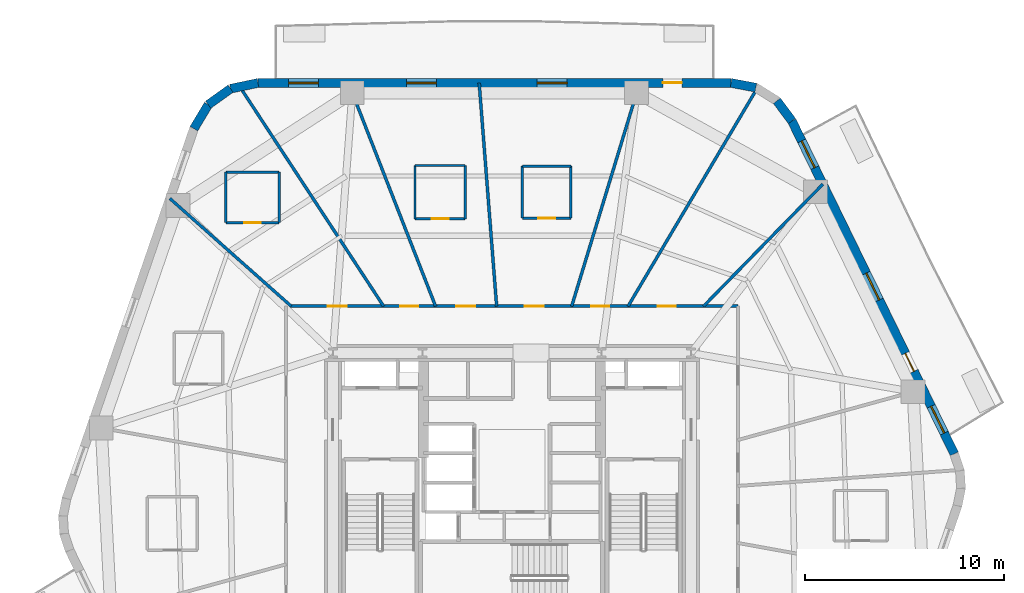
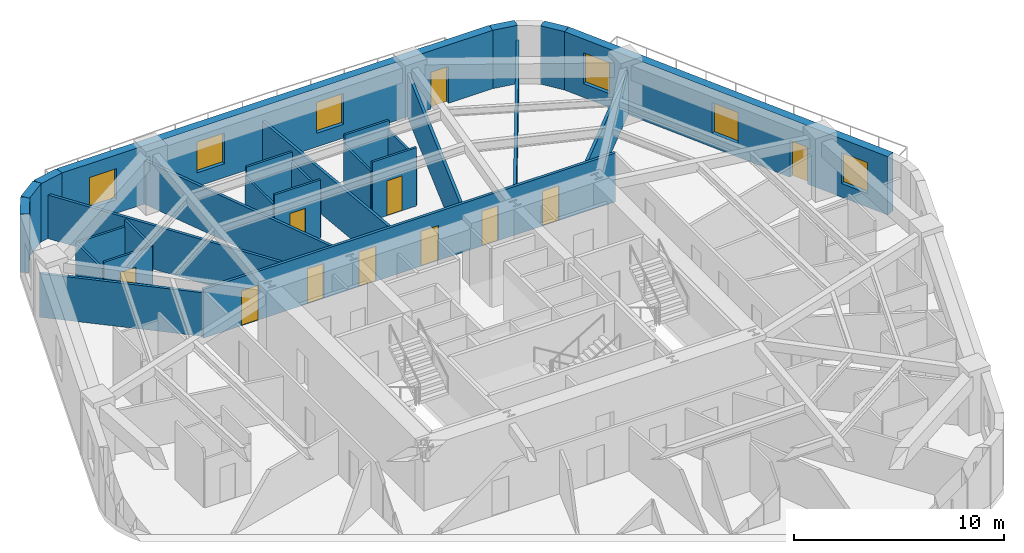
# One storey, part 6 of 10: 27 walls, 11 doors, 6 windows, 17 openings.
"""IFC4 building model written with IfcOpenShell, lengths in metres."""

from ifc_helpers import new_model, si_unit, direction, frame, frame_2d, origin, place, context, subcontext, project, spatial, rectangle, extrude, material, layer, layer_set, type_object, element, fill, save


model = new_model("IFC4")

# Units and contexts
model_context = context("Model", 3, precision=1e-05, world=origin(), true_north=direction((0.0, 1.0)))
body_context = subcontext(model_context, "Body", "Model", "MODEL_VIEW")
ifc_project = project(units=[si_unit("LENGTHUNIT", "METRE"), si_unit("AREAUNIT", "SQUARE_METRE"), si_unit("VOLUMEUNIT", "CUBIC_METRE"), si_unit("PLANEANGLEUNIT", "RADIAN"), si_unit("MASSUNIT", "GRAM", prefix="KILO")], contexts=[model_context])

# Site, building, storey
site_placement = place(None, origin())
site = spatial("IfcSite", under=ifc_project, at=site_placement, CompositionType="ELEMENT")
building_placement = place(site_placement, origin())
building = spatial("IfcBuilding", under=site, at=building_placement, Name="Kilnhurst Terrace Hotel", CompositionType="ELEMENT")
storey_placement = place(building_placement, frame((0.0, 0.0, 95.10009765625)))
storey = spatial("IfcBuildingStorey", under=building, at=storey_placement, Name="L22", CompositionType="ELEMENT", Elevation=95.10009765625)

# Walls
ifc_material_1 = material(Name="Precast concrete C40/50", Category="concrete")
ifc_layer_1 = layer(ifc_material_1, 0.449951171875, Name="Precast concrete C40/50")
ifc_layer_set_1 = layer_set([ifc_layer_1], Name="Precast concrete C40/50")
wall_type_1 = type_object("IfcWallType", Name="WL-BRK-450", PredefinedType="SOLIDWALL", material=ifc_layer_set_1)
for number, where, z_axis, x_axis, name in (
    (1, (14.07568359375, 19.16064453125, 0.0), (0.0, 0.0, 1.0), (-0.597226657159, 0.802072515412, 0.0), "L22 Rounded Corner Brick Wall C4.1"),
    (2, (12.25927734375, 20.840087890625, 0.0), (0.0, 0.0, 1.0), (-0.982730354425, 0.185043374624, 0.0), "L22 Rounded Corner Brick Wall C4.3"),
):
    element("IfcWall", number, at=place(storey_placement, frame(where, z_axis=z_axis, x_axis=x_axis)), inside=storey, type_object=wall_type_1, Name=name, PredefinedType="SOLIDWALL", context=body_context, shape_type="SweptSolid", body=[
        extrude(rectangle(XDim=1.269287109375, YDim=0.449951171875, at=frame_2d((0.634765625, 0.0))), origin(), (0.0, 0.0, 1.0), 3.39990234375),
    ])
wall_1_placement = place(storey_placement, frame((-12.7705078125, 21.074951171875, 0.0), z_axis=(0.0, 0.0, 1.0), x_axis=(-0.97874281988, -0.205091424819, 0.0)))
element("IfcWall", 3, at=wall_1_placement, inside=storey, type_object=wall_type_1, Name="L22 Rounded Corner Brick Wall C5.1", PredefinedType="SOLIDWALL", context=body_context, shape_type="SweptSolid", body=[
    extrude(rectangle(XDim=1.40576171875, YDim=0.449951171875, at=frame_2d((0.702880859375, 0.0))), origin(), (0.0, 0.0, 1.0), 3.39990234375),
])
wall_2_placement = place(storey_placement, frame((-14.146484375, 20.78662109375, 0.0), z_axis=(0.0, 0.0, 1.0), x_axis=(-0.814162929117, -0.580636482536, 0.0)))
element("IfcWall", 4, at=wall_2_placement, inside=storey, type_object=wall_type_1, Name="L22 Rounded Corner Brick Wall C5.2", PredefinedType="SOLIDWALL", context=body_context, shape_type="SweptSolid", body=[
    extrude(rectangle(XDim=1.382080078125, YDim=0.449951171875, at=frame_2d((0.69091796875, 0.0))), origin(), (0.0, 0.0, 1.0), 3.39990234375),
])
wall_3_placement = place(storey_placement, frame((-15.271728515625, 19.984130859375, 0.0), z_axis=(0.0, 0.0, 1.0), x_axis=(-0.512579347361, -0.858639862025, 0.0)))
element("IfcWall", 5, at=wall_3_placement, inside=storey, type_object=wall_type_1, Name="L22 Rounded Corner Brick Wall C5.3", PredefinedType="SOLIDWALL", context=body_context, shape_type="SweptSolid", body=[
    extrude(rectangle(XDim=1.406005859375, YDim=0.449951171875, at=frame_2d((0.703125, 0.0))), origin(), (0.0, 0.0, 1.0), 3.39990234375),
])

# Wall, openings, door, windows
wall_4_placement = place(storey_placement, frame((22.237548828125, 2.426513671875, 0.0), z_axis=(0.0, 0.0, 1.0), x_axis=(-0.438374803278, 0.898792262901, 0.0)))
wall_4 = element("IfcWall", 6, at=wall_4_placement, inside=storey, type_object=wall_type_1, Name="L22 Exterior Brick Facade Wall F3", PredefinedType="SOLIDWALL", context=body_context, shape_type="SweptSolid", body=[
    extrude(rectangle(XDim=18.618408203125, YDim=0.449951171875, at=frame_2d((9.30908203125, 0.0))), origin(), (0.0, 0.0, 1.0), 3.39990234375),
])
opening_1_placement = place(wall_4_placement, frame((4.6201171875, 0.0, 0.0)))
opening_1 = element("IfcOpeningElement", 7, at=opening_1_placement, cuts=wall_4, Name="Opening BD-1000", PredefinedType="OPENING", context=body_context, shape_type="SweptSolid", body=[
    extrude(rectangle(XDim=1.0, YDim=2.14990234375, at=frame_2d((0.5, 1.074951171875))), frame((0.0, 0.23486328125, 0.0), z_axis=(0.0, -1.0, 0.0), x_axis=(1.0, 0.0, 0.0)), (0.0, 0.0, 1.0), 0.469970703125),
])
opening_2_placement = place(wall_4_placement, frame((1.1630859375, 0.0, 0.800048828125)))
opening_2 = element("IfcOpeningElement", 8, at=opening_2_placement, cuts=wall_4, Name="Opening W-02", PredefinedType="OPENING", context=body_context, shape_type="SweptSolid", body=[
    extrude(rectangle(XDim=1.5, YDim=1.800048828125, at=frame_2d((0.75, 0.89990234375))), frame((0.0, 0.23486328125, 0.0), z_axis=(0.0, -1.0, 0.0), x_axis=(1.0, 0.0, 0.0)), (0.0, 0.0, 1.0), 0.469970703125),
])
opening_3_placement = place(wall_4_placement, frame((8.610107421875, 0.0, 0.800048828125)))
opening_3 = element("IfcOpeningElement", 9, at=opening_3_placement, cuts=wall_4, Name="Opening W-02", PredefinedType="OPENING", context=body_context, shape_type="SweptSolid", body=[
    extrude(rectangle(XDim=1.5, YDim=1.800048828125, at=frame_2d((0.75, 0.89990234375))), frame((0.0, 0.23486328125, 0.0), z_axis=(0.0, -1.0, 0.0), x_axis=(1.0, 0.0, 0.0)), (0.0, 0.0, 1.0), 0.469970703125),
])
opening_4_placement = place(wall_4_placement, frame((16.006103515625, 0.0, 0.800048828125)))
opening_4 = element("IfcOpeningElement", 10, at=opening_4_placement, cuts=wall_4, Name="Opening W-02", PredefinedType="OPENING", context=body_context, shape_type="SweptSolid", body=[
    extrude(rectangle(XDim=1.5, YDim=1.800048828125, at=frame_2d((0.75, 0.89990234375))), frame((0.0, 0.23486328125, 0.0), z_axis=(0.0, -1.0, 0.0), x_axis=(1.0, 0.0, 0.0)), (0.0, 0.0, 1.0), 0.469970703125),
])
ifc_material_2 = material(Name="Thermally Broken Bronze Aluminium Alloy 6063-T6 and Laminated Glass", Category="aluminium")
door_type_1 = type_object("IfcDoorType", Name="DR-EXT-BAL-1000", OperationType="NOTDEFINED", PredefinedType="DOOR", material=ifc_material_2)
door_1_placement = place(opening_1_placement, origin())
door_1 = element("IfcDoor", 11, at=door_1_placement, inside=storey, type_object=door_type_1, Name="L22 Planted Balcony Door BAL-L1A", OperationType="SINGLE_SWING_LEFT", OverallHeight=2.14990234375, OverallWidth=1.0, PredefinedType="DOOR", context=body_context, shape_type="SweptSolid", body=[
    extrude(rectangle(XDim=1.0, YDim=2.14990234375, at=frame_2d((0.5, 1.074951171875))), frame((0.0, 0.02490234375, 0.0), z_axis=(0.0, -1.0, 0.0), x_axis=(1.0, 0.0, 0.0)), (0.0, 0.0, 1.0), 0.050048828125),
])
fill(opening_1, door_1)
ifc_material_3 = material(Name="Thermally Broken Bronze Aluminium Alloy 6063-T6 and Low-E Glass", Category="aluminium")
window_type = type_object("IfcWindowType", Name="WIN-1500X1800", PartitioningType="SINGLE_PANEL", PredefinedType="WINDOW", material=ifc_material_3)
window_1_placement = place(opening_2_placement, origin())
window_1 = element("IfcWindow", 12, at=window_1_placement, inside=storey, type_object=window_type, Name="L22 Deep-Set Masonry Window F3.1", OverallHeight=1.800048828125, OverallWidth=1.5, PartitioningType="SINGLE_PANEL", PredefinedType="WINDOW", context=body_context, shape_type="SweptSolid", body=[
    extrude(rectangle(XDim=1.5, YDim=1.800048828125, at=frame_2d((0.75, 0.89990234375))), frame((0.0, 0.030029296875, 0.0), z_axis=(0.0, -1.0, 0.0), x_axis=(1.0, 0.0, 0.0)), (0.0, 0.0, 1.0), 0.06005859375),
])
fill(opening_2, window_1)
window_2_placement = place(opening_3_placement, origin())
window_2 = element("IfcWindow", 13, at=window_2_placement, inside=storey, type_object=window_type, Name="L22 Deep-Set Masonry Window F3.2", OverallHeight=1.800048828125, OverallWidth=1.5, PartitioningType="SINGLE_PANEL", PredefinedType="WINDOW", context=body_context, shape_type="SweptSolid", body=[
    extrude(rectangle(XDim=1.5, YDim=1.800048828125, at=frame_2d((0.75, 0.89990234375))), frame((0.0, 0.030029296875, 0.0), z_axis=(0.0, -1.0, 0.0), x_axis=(1.0, 0.0, 0.0)), (0.0, 0.0, 1.0), 0.06005859375),
])
fill(opening_3, window_2)
window_3_placement = place(opening_4_placement, origin())
window_3 = element("IfcWindow", 14, at=window_3_placement, inside=storey, type_object=window_type, Name="L22 Deep-Set Masonry Window F3.3", OverallHeight=1.800048828125, OverallWidth=1.5, PartitioningType="SINGLE_PANEL", PredefinedType="WINDOW", context=body_context, shape_type="SweptSolid", body=[
    extrude(rectangle(XDim=1.5, YDim=1.800048828125, at=frame_2d((0.75, 0.89990234375))), frame((0.0, 0.030029296875, 0.0), z_axis=(0.0, -1.0, 0.0), x_axis=(1.0, 0.0, 0.0)), (0.0, 0.0, 1.0), 0.06005859375),
])
fill(opening_4, window_3)

wall_5_placement = place(storey_placement, frame((11.011962890625, 21.074951171875, 0.0), z_axis=(0.0, 0.0, 1.0), x_axis=(-1.0, 0.0, 0.0)))
wall_5 = element("IfcWall", 15, at=wall_5_placement, inside=storey, type_object=wall_type_1, Name="L22 Exterior Brick Facade Wall F4", PredefinedType="SOLIDWALL", context=body_context, shape_type="SweptSolid", body=[
    extrude(rectangle(XDim=23.782470703125, YDim=0.449951171875, at=frame_2d((11.89111328125, 0.0))), origin(), (0.0, 0.0, 1.0), 3.39990234375),
])
opening_5_placement = place(wall_5_placement, frame((2.472900390625, 0.0, 0.0)))
opening_5 = element("IfcOpeningElement", 16, at=opening_5_placement, cuts=wall_5, Name="Opening BD-950", PredefinedType="OPENING", context=body_context, shape_type="SweptSolid", body=[
    extrude(rectangle(XDim=0.949951171875, YDim=2.14990234375, at=frame_2d((0.47509765625, 1.074951171875))), frame((0.0, 0.23486328125, 0.0), z_axis=(0.0, -1.0, 0.0), x_axis=(1.0, 0.0, 0.0)), (0.0, 0.0, 1.0), 0.469970703125),
])
opening_6_placement = place(wall_5_placement, frame((8.243896484375, 0.0, 0.800048828125)))
opening_6 = element("IfcOpeningElement", 17, at=opening_6_placement, cuts=wall_5, Name="Opening W-02", PredefinedType="OPENING", context=body_context, shape_type="SweptSolid", body=[
    extrude(rectangle(XDim=1.5, YDim=1.800048828125, at=frame_2d((0.75, 0.89990234375))), frame((0.0, 0.23486328125, 0.0), z_axis=(0.0, -1.0, 0.0), x_axis=(1.0, 0.0, 0.0)), (0.0, 0.0, 1.0), 0.469970703125),
])
opening_7_placement = place(wall_5_placement, frame((14.81103515625, 0.0, 0.800048828125)))
opening_7 = element("IfcOpeningElement", 18, at=opening_7_placement, cuts=wall_5, Name="Opening W-02", PredefinedType="OPENING", context=body_context, shape_type="SweptSolid", body=[
    extrude(rectangle(XDim=1.5, YDim=1.800048828125, at=frame_2d((0.75, 0.89990234375))), frame((0.0, 0.23486328125, 0.0), z_axis=(0.0, -1.0, 0.0), x_axis=(1.0, 0.0, 0.0)), (0.0, 0.0, 1.0), 0.469970703125),
])
opening_8_placement = place(wall_5_placement, frame((20.740966796875, 0.0, 0.800048828125)))
opening_8 = element("IfcOpeningElement", 19, at=opening_8_placement, cuts=wall_5, Name="Opening W-02", PredefinedType="OPENING", context=body_context, shape_type="SweptSolid", body=[
    extrude(rectangle(XDim=1.5, YDim=1.800048828125, at=frame_2d((0.75, 0.89990234375))), frame((0.0, 0.23486328125, 0.0), z_axis=(0.0, -1.0, 0.0), x_axis=(1.0, 0.0, 0.0)), (0.0, 0.0, 1.0), 0.469970703125),
])
door_type_2 = type_object("IfcDoorType", Name="DR-EXT-BAL-950", OperationType="NOTDEFINED", PredefinedType="DOOR", material=ifc_material_2)
door_2_placement = place(opening_5_placement, origin())
door_2 = element("IfcDoor", 20, at=door_2_placement, inside=storey, type_object=door_type_2, Name="L22 Planted Balcony Door BAL-L1B", OperationType="SINGLE_SWING_RIGHT", OverallHeight=2.14990234375, OverallWidth=0.949951171875, PredefinedType="DOOR", context=body_context, shape_type="SweptSolid", body=[
    extrude(rectangle(XDim=0.949951171875, YDim=2.14990234375, at=frame_2d((0.47509765625, 1.074951171875))), frame((0.0, 0.02490234375, 0.0), z_axis=(0.0, -1.0, 0.0), x_axis=(1.0, 0.0, 0.0)), (0.0, 0.0, 1.0), 0.050048828125),
])
fill(opening_5, door_2)
window_4_placement = place(opening_6_placement, origin())
window_4 = element("IfcWindow", 21, at=window_4_placement, inside=storey, type_object=window_type, Name="L22 Deep-Set Masonry Window F4.1", OverallHeight=1.800048828125, OverallWidth=1.5, PartitioningType="SINGLE_PANEL", PredefinedType="WINDOW", context=body_context, shape_type="SweptSolid", body=[
    extrude(rectangle(XDim=1.5, YDim=1.800048828125, at=frame_2d((0.75, 0.89990234375))), frame((0.0, 0.030029296875, 0.0), z_axis=(0.0, -1.0, 0.0), x_axis=(1.0, 0.0, 0.0)), (0.0, 0.0, 1.0), 0.06005859375),
])
fill(opening_6, window_4)
window_5_placement = place(opening_7_placement, origin())
window_5 = element("IfcWindow", 22, at=window_5_placement, inside=storey, type_object=window_type, Name="L22 Deep-Set Masonry Window F4.2", OverallHeight=1.800048828125, OverallWidth=1.5, PartitioningType="SINGLE_PANEL", PredefinedType="WINDOW", context=body_context, shape_type="SweptSolid", body=[
    extrude(rectangle(XDim=1.5, YDim=1.800048828125, at=frame_2d((0.75, 0.89990234375))), frame((0.0, 0.030029296875, 0.0), z_axis=(0.0, -1.0, 0.0), x_axis=(1.0, 0.0, 0.0)), (0.0, 0.0, 1.0), 0.06005859375),
])
fill(opening_7, window_5)
window_6_placement = place(opening_8_placement, origin())
window_6 = element("IfcWindow", 23, at=window_6_placement, inside=storey, type_object=window_type, Name="L22 Deep-Set Masonry Window F4.3", OverallHeight=1.800048828125, OverallWidth=1.5, PartitioningType="SINGLE_PANEL", PredefinedType="WINDOW", context=body_context, shape_type="SweptSolid", body=[
    extrude(rectangle(XDim=1.5, YDim=1.800048828125, at=frame_2d((0.75, 0.89990234375))), frame((0.0, 0.030029296875, 0.0), z_axis=(0.0, -1.0, 0.0), x_axis=(1.0, 0.0, 0.0)), (0.0, 0.0, 1.0), 0.06005859375),
])
fill(opening_8, window_6)

# Wall, openings, doors
ifc_material_4 = material(Name="Acoustic Double-Gypsum Corridor Partition Assembly")
ifc_layer_2 = layer(ifc_material_4, 0.14990234375, Name="Acoustic Double-Gypsum Corridor Partition Assembly")
ifc_layer_set_2 = layer_set([ifc_layer_2], Name="Acoustic Double-Gypsum Corridor Partition Assembly")
wall_type_2 = type_object("IfcWallType", Name="WL-COR-150", PredefinedType="PARTITIONING", material=ifc_layer_set_2)
wall_6_placement = place(storey_placement, frame((-11.35009765625, 9.85009765625, 0.0), z_axis=(0.0, 0.0, 1.0), x_axis=(1.0, 0.0, 0.0)))
wall_6 = element("IfcWall", 24, at=wall_6_placement, inside=storey, type_object=wall_type_2, Name="L22 Interior Wall WL-L22-COR-02", PredefinedType="PARTITIONING", context=body_context, shape_type="SweptSolid", body=[
    extrude(rectangle(XDim=22.7001953125, YDim=0.14990234375, at=frame_2d((11.35009765625, 0.0))), origin(), (0.0, 0.0, 1.0), 2.83984375),
])
opening_9_placement = place(wall_6_placement, frame((18.678955078125, 0.0, 0.0)))
opening_9 = element("IfcOpeningElement", 25, at=opening_9_placement, cuts=wall_6, Name="Opening D-60C", PredefinedType="OPENING", context=body_context, shape_type="SweptSolid", body=[
    extrude(rectangle(XDim=0.89990234375, YDim=2.030029296875, at=frame_2d((0.449951171875, 1.01513671875))), frame((0.0, 0.0849609375, 0.0), z_axis=(0.0, -1.0, 0.0), x_axis=(1.0, 0.0, 0.0)), (0.0, 0.0, 1.0), 0.169921875),
])
opening_10_placement = place(wall_6_placement, frame((15.3369140625, 0.0, 0.0)))
opening_10 = element("IfcOpeningElement", 26, at=opening_10_placement, cuts=wall_6, Name="Opening D-60C", PredefinedType="OPENING", context=body_context, shape_type="SweptSolid", body=[
    extrude(rectangle(XDim=0.89990234375, YDim=2.030029296875, at=frame_2d((0.449951171875, 1.01513671875))), frame((0.0, 0.0849609375, 0.0), z_axis=(0.0, -1.0, 0.0), x_axis=(1.0, 0.0, 0.0)), (0.0, 0.0, 1.0), 0.169921875),
])
opening_11_placement = place(wall_6_placement, frame((11.993896484375, 0.0, 0.0)))
opening_11 = element("IfcOpeningElement", 27, at=opening_11_placement, cuts=wall_6, Name="Opening D-60B", PredefinedType="OPENING", context=body_context, shape_type="SweptSolid", body=[
    extrude(rectangle(XDim=0.949951171875, YDim=2.030029296875, at=frame_2d((0.47509765625, 1.01513671875))), frame((0.0, 0.0849609375, 0.0), z_axis=(0.0, -1.0, 0.0), x_axis=(1.0, 0.0, 0.0)), (0.0, 0.0, 1.0), 0.169921875),
])
opening_12_placement = place(wall_6_placement, frame((8.55908203125, 0.0, 0.0)))
opening_12 = element("IfcOpeningElement", 28, at=opening_12_placement, cuts=wall_6, Name="Opening D-60B", PredefinedType="OPENING", context=body_context, shape_type="SweptSolid", body=[
    extrude(rectangle(XDim=0.949951171875, YDim=2.030029296875, at=frame_2d((0.47509765625, 1.01513671875))), frame((0.0, 0.0849609375, 0.0), z_axis=(0.0, -1.0, 0.0), x_axis=(1.0, 0.0, 0.0)), (0.0, 0.0, 1.0), 0.169921875),
])
opening_13_placement = place(wall_6_placement, frame((5.72802734375, 0.0, 0.0)))
opening_13 = element("IfcOpeningElement", 29, at=opening_13_placement, cuts=wall_6, Name="Opening D-60C", PredefinedType="OPENING", context=body_context, shape_type="SweptSolid", body=[
    extrude(rectangle(XDim=0.89990234375, YDim=2.030029296875, at=frame_2d((0.449951171875, 1.01513671875))), frame((0.0, 0.0849609375, 0.0), z_axis=(0.0, -1.0, 0.0), x_axis=(1.0, 0.0, 0.0)), (0.0, 0.0, 1.0), 0.169921875),
])
opening_14_placement = place(wall_6_placement, frame((2.093017578125, 0.0, 0.0)))
opening_14 = element("IfcOpeningElement", 30, at=opening_14_placement, cuts=wall_6, Name="Opening D-60B", PredefinedType="OPENING", context=body_context, shape_type="SweptSolid", body=[
    extrude(rectangle(XDim=0.949951171875, YDim=2.030029296875, at=frame_2d((0.47509765625, 1.01513671875))), frame((0.0, 0.0849609375, 0.0), z_axis=(0.0, -1.0, 0.0), x_axis=(1.0, 0.0, 0.0)), (0.0, 0.0, 1.0), 0.169921875),
])
ifc_material_5 = material(Name="Painted Solid-Core Service Fire Door")
door_type_3 = type_object("IfcDoorType", Name="DR-FD60-900", OperationType="NOTDEFINED", PredefinedType="DOOR", material=ifc_material_5)
door_3_placement = place(opening_9_placement, origin())
door_3 = element("IfcDoor", 31, at=door_3_placement, inside=storey, type_object=door_type_3, Name="L22 Executive Work Office Door 3", OperationType="SINGLE_SWING_LEFT", OverallHeight=2.030029296875, OverallWidth=0.89990234375, PredefinedType="DOOR", context=body_context, shape_type="SweptSolid", body=[
    extrude(rectangle(XDim=0.89990234375, YDim=2.030029296875, at=frame_2d((0.449951171875, 1.01513671875))), frame((0.0, 0.02490234375, 0.0), z_axis=(0.0, -1.0, 0.0), x_axis=(1.0, 0.0, 0.0)), (0.0, 0.0, 1.0), 0.050048828125),
])
fill(opening_9, door_3)
door_4_placement = place(opening_10_placement, origin())
door_4 = element("IfcDoor", 32, at=door_4_placement, inside=storey, type_object=door_type_3, Name="L22 Botanical Reading Lounge Door 4", OperationType="SINGLE_SWING_RIGHT", OverallHeight=2.030029296875, OverallWidth=0.89990234375, PredefinedType="DOOR", context=body_context, shape_type="SweptSolid", body=[
    extrude(rectangle(XDim=0.89990234375, YDim=2.030029296875, at=frame_2d((0.449951171875, 1.01513671875))), frame((0.0, 0.02490234375, 0.0), z_axis=(0.0, -1.0, 0.0), x_axis=(1.0, 0.0, 0.0)), (0.0, 0.0, 1.0), 0.050048828125),
])
fill(opening_10, door_4)
door_5_placement = place(opening_13_placement, origin())
door_5 = element("IfcDoor", 33, at=door_5_placement, inside=storey, type_object=door_type_3, Name="L22 Private Meeting Salon Door 7", OperationType="SINGLE_SWING_LEFT", OverallHeight=2.030029296875, OverallWidth=0.89990234375, PredefinedType="DOOR", context=body_context, shape_type="SweptSolid", body=[
    extrude(rectangle(XDim=0.89990234375, YDim=2.030029296875, at=frame_2d((0.449951171875, 1.01513671875))), frame((0.0, 0.02490234375, 0.0), z_axis=(0.0, -1.0, 0.0), x_axis=(1.0, 0.0, 0.0)), (0.0, 0.0, 1.0), 0.050048828125),
])
fill(opening_13, door_5)
ifc_material_6 = material(Name="Acoustic Walnut Veneer Solid-Core Fire Door")
door_type_4 = type_object("IfcDoorType", Name="DR-FD60-950", OperationType="NOTDEFINED", PredefinedType="DOOR", material=ifc_material_6)
door_6_placement = place(opening_11_placement, origin())
door_6 = element("IfcDoor", 34, at=door_6_placement, inside=storey, type_object=door_type_4, Name="L22 Guest Room Entry Door 5", OperationType="SINGLE_SWING_LEFT", OverallHeight=2.030029296875, OverallWidth=0.949951171875, PredefinedType="DOOR", context=body_context, shape_type="SweptSolid", body=[
    extrude(rectangle(XDim=0.949951171875, YDim=2.030029296875, at=frame_2d((0.47509765625, 1.01513671875))), frame((0.0, 0.02490234375, 0.0), z_axis=(0.0, -1.0, 0.0), x_axis=(1.0, 0.0, 0.0)), (0.0, 0.0, 1.0), 0.050048828125),
])
fill(opening_11, door_6)
door_7_placement = place(opening_12_placement, origin())
door_7 = element("IfcDoor", 35, at=door_7_placement, inside=storey, type_object=door_type_4, Name="L22 Guest Room Entry Door 6", OperationType="SINGLE_SWING_RIGHT", OverallHeight=2.030029296875, OverallWidth=0.949951171875, PredefinedType="DOOR", context=body_context, shape_type="SweptSolid", body=[
    extrude(rectangle(XDim=0.949951171875, YDim=2.030029296875, at=frame_2d((0.47509765625, 1.01513671875))), frame((0.0, 0.02490234375, 0.0), z_axis=(0.0, -1.0, 0.0), x_axis=(1.0, 0.0, 0.0)), (0.0, 0.0, 1.0), 0.050048828125),
])
fill(opening_12, door_7)
door_8_placement = place(opening_14_placement, origin())
door_8 = element("IfcDoor", 36, at=door_8_placement, inside=storey, type_object=door_type_4, Name="L22 Guest Room Entry Door 8", OperationType="SINGLE_SWING_RIGHT", OverallHeight=2.030029296875, OverallWidth=0.949951171875, PredefinedType="DOOR", context=body_context, shape_type="SweptSolid", body=[
    extrude(rectangle(XDim=0.949951171875, YDim=2.030029296875, at=frame_2d((0.47509765625, 1.01513671875))), frame((0.0, 0.02490234375, 0.0), z_axis=(0.0, -1.0, 0.0), x_axis=(1.0, 0.0, 0.0)), (0.0, 0.0, 1.0), 0.050048828125),
])
fill(opening_14, door_8)

# Walls
ifc_material_7 = material(Name="STC-58 Acoustic Twin-Frame Guestroom Demising Partition")
ifc_layer_3 = layer(ifc_material_7, 0.14990234375, Name="STC-58 Acoustic Twin-Frame Guestroom Demising Partition")
ifc_layer_set_3 = layer_set([ifc_layer_3], Name="STC-58 Acoustic Twin-Frame Guestroom Demising Partition")
wall_type_3 = type_object("IfcWallType", Name="WL-DEM-150", PredefinedType="PARTITIONING", material=ifc_layer_set_3)
wall_7_placement = place(storey_placement, frame((9.6279296875, 9.85009765625, 0.0), z_axis=(0.0, 0.0, 1.0), x_axis=(0.698992824326, 0.715128681805, 0.0)))
element("IfcWall", 37, at=wall_7_placement, inside=storey, type_object=wall_type_3, Name="L22 Interior Wall WL-L22-DEM-COL02-03-1", PredefinedType="PARTITIONING", context=body_context, shape_type="SweptSolid", body=[
    extrude(rectangle(XDim=8.578857421875, YDim=0.14990234375, at=frame_2d((4.28955078125, 0.0))), origin(), (0.0, 0.0, 1.0), 2.539794921875),
])
wall_8_placement = place(storey_placement, frame((5.835205078125, 9.85009765625, 0.0), z_axis=(0.0, 0.0, 1.0), x_axis=(0.509682574642, 0.860362524234, 0.0)))
element("IfcWall", 38, at=wall_8_placement, inside=storey, type_object=wall_type_3, Name="L22 Interior Wall WL-L22-DEM-MID02-04-1", PredefinedType="PARTITIONING", context=body_context, shape_type="SweptSolid", body=[
    extrude(rectangle(XDim=12.567626953125, YDim=0.14990234375, at=frame_2d((6.28369140625, 0.0))), origin(), (0.0, 0.0, 1.0), 2.539794921875),
])
wall_9_placement = place(storey_placement, frame((3.0, 9.85009765625, 0.0), z_axis=(0.0, 0.0, 1.0), x_axis=(0.291352035382, 0.95661590593, 0.0)))
element("IfcWall", 39, at=wall_9_placement, inside=storey, type_object=wall_type_3, Name="L22 Interior Wall WL-L22-DEM-COL03-05-1", PredefinedType="PARTITIONING", context=body_context, shape_type="SweptSolid", body=[
    extrude(rectangle(XDim=11.73388671875, YDim=0.14990234375, at=frame_2d((5.866943359375, 0.0))), origin(), (0.0, 0.0, 1.0), 2.539794921875),
])
wall_10_placement = place(storey_placement, frame((-0.771728515625, 9.85009765625, 0.0), z_axis=(0.0, 0.0, 1.0), x_axis=(-0.078125747145, 0.996943512759, 0.0)))
element("IfcWall", 40, at=wall_10_placement, inside=storey, type_object=wall_type_3, Name="L22 Interior Wall WL-L22-DEM-MID03-06-1", PredefinedType="PARTITIONING", context=body_context, shape_type="SweptSolid", body=[
    extrude(rectangle(XDim=11.25927734375, YDim=0.14990234375, at=frame_2d((5.629638671875, 0.0))), origin(), (0.0, 0.0, 1.0), 2.539794921875),
])
wall_11_placement = place(storey_placement, frame((-3.84228515625, 9.85009765625, 0.0), z_axis=(0.0, 0.0, 1.0), x_axis=(-0.363432685593, 0.931620460833, 0.0)))
element("IfcWall", 41, at=wall_11_placement, inside=storey, type_object=wall_type_3, Name="L22 Interior Wall WL-L22-DEM-COL04-07-1", PredefinedType="PARTITIONING", context=body_context, shape_type="SweptSolid", body=[
    extrude(rectangle(XDim=12.048828125, YDim=0.14990234375, at=frame_2d((6.0244140625, 0.0))), origin(), (0.0, 0.0, 1.0), 2.539794921875),
])
wall_12_placement = place(storey_placement, frame((-6.453857421875, 9.85009765625, 0.0), z_axis=(0.0, 0.0, 1.0), x_axis=(-0.548052950111, 0.836443640584, 0.0)))
element("IfcWall", 42, at=wall_12_placement, inside=storey, type_object=wall_type_3, Name="L22 Interior Wall WL-L22-DEM-MID04-08-1", PredefinedType="PARTITIONING", context=body_context, shape_type="SweptSolid", body=[
    extrude(rectangle(XDim=13.019287109375, YDim=0.14990234375, at=frame_2d((6.509765625, 0.0))), origin(), (0.0, 0.0, 1.0), 2.539794921875),
])
wall_13_placement = place(storey_placement, frame((-11.097900390625, 9.85009765625, 0.0), z_axis=(0.0, 0.0, 1.0), x_axis=(-0.747904295103, 0.663806572253, 0.0)))
element("IfcWall", 43, at=wall_13_placement, inside=storey, type_object=wall_type_3, Name="L22 Interior Wall WL-L22-DEM-COL05-09-1", PredefinedType="PARTITIONING", context=body_context, shape_type="SweptSolid", body=[
    extrude(rectangle(XDim=8.160400390625, YDim=0.14990234375, at=frame_2d((4.080078125, 0.0))), origin(), (0.0, 0.0, 1.0), 2.539794921875),
])

# Wall, opening, door
ifc_material_8 = material(Name="120 mm Moisture-Resistant Tile-Backed Bathroom Partition")
ifc_layer_4 = layer(ifc_material_8, 0.1201171875, Name="120 mm Moisture-Resistant Tile-Backed Bathroom Partition")
ifc_layer_set_4 = layer_set([ifc_layer_4], Name="120 mm Moisture-Resistant Tile-Backed Bathroom Partition")
wall_type_4 = type_object("IfcWallType", Name="WL-PART-120", PredefinedType="PARTITIONING", material=ifc_layer_set_4)
wall_14_placement = place(storey_placement, frame((0.52099609375, 14.281982421875, 0.0), z_axis=(0.0, 0.0, 1.0), x_axis=(1.0, 0.0, 0.0)))
wall_14 = element("IfcWall", 44, at=wall_14_placement, inside=storey, type_object=wall_type_4, Name="L22 Interior Wall WL-L22-BTH-05-1", PredefinedType="PARTITIONING", context=body_context, shape_type="SweptSolid", body=[
    extrude(rectangle(XDim=2.43994140625, YDim=0.1201171875, at=frame_2d((1.219970703125, 0.0))), origin(), (0.0, 0.0, 1.0), 3.39990234375),
])
opening_15_placement = place(wall_14_placement, frame((0.794921875, 0.0, 0.0)))
opening_15 = element("IfcOpeningElement", 45, at=opening_15_placement, cuts=wall_14, Name="Opening D-08A", PredefinedType="OPENING", context=body_context, shape_type="SweptSolid", body=[
    extrude(rectangle(XDim=0.85009765625, YDim=2.030029296875, at=frame_2d((0.425048828125, 1.01513671875))), frame((0.0, 0.070068359375, 0.0), z_axis=(0.0, -1.0, 0.0), x_axis=(1.0, 0.0, 0.0)), (0.0, 0.0, 1.0), 0.14013671875),
])
ifc_material_9 = material(Name="Moisture-Resistant Lacquered En-suite Bathroom Door")
door_type_5 = type_object("IfcDoorType", Name="DR-INT-850", OperationType="NOTDEFINED", PredefinedType="DOOR", material=ifc_material_9)
door_9_placement = place(opening_15_placement, origin())
door_9 = element("IfcDoor", 46, at=door_9_placement, inside=storey, type_object=door_type_5, Name="L22 En-suite Bathroom Door 5", OperationType="SINGLE_SWING_RIGHT", OverallHeight=2.030029296875, OverallWidth=0.85009765625, PredefinedType="DOOR", context=body_context, shape_type="SweptSolid", body=[
    extrude(rectangle(XDim=0.85009765625, YDim=2.030029296875, at=frame_2d((0.425048828125, 1.01513671875))), frame((0.0, 0.02490234375, 0.0), z_axis=(0.0, -1.0, 0.0), x_axis=(1.0, 0.0, 0.0)), (0.0, 0.0, 1.0), 0.050048828125),
])
fill(opening_15, door_9)

# Walls
wall_15_placement = place(storey_placement, frame((2.9609375, 14.281982421875, 0.0), z_axis=(0.0, 0.0, 1.0), x_axis=(0.0, 1.0, 0.0)))
element("IfcWall", 47, at=wall_15_placement, inside=storey, type_object=wall_type_4, Name="L22 Interior Wall WL-L22-BTH-05-2", PredefinedType="PARTITIONING", context=body_context, shape_type="SweptSolid", body=[
    extrude(rectangle(XDim=2.610107421875, YDim=0.1201171875, at=frame_2d((1.30517578125, 0.0))), origin(), (0.0, 0.0, 1.0), 2.84033203125),
])
wall_16_placement = place(storey_placement, frame((2.9609375, 16.89208984375, 0.0), z_axis=(0.0, 0.0, 1.0), x_axis=(-1.0, 0.0, 0.0)))
element("IfcWall", 48, at=wall_16_placement, inside=storey, type_object=wall_type_4, Name="L22 Interior Wall WL-L22-BTH-05-3", PredefinedType="PARTITIONING", context=body_context, shape_type="SweptSolid", body=[
    extrude(rectangle(XDim=2.43994140625, YDim=0.1201171875, at=frame_2d((1.219970703125, 0.0))), origin(), (0.0, 0.0, 1.0), 3.39990234375),
])
wall_17_placement = place(storey_placement, frame((0.52099609375, 16.89208984375, 0.0), z_axis=(0.0, 0.0, 1.0), x_axis=(0.0, -1.0, 0.0)))
element("IfcWall", 49, at=wall_17_placement, inside=storey, type_object=wall_type_4, Name="L22 Interior Wall WL-L22-BTH-05-4", PredefinedType="PARTITIONING", context=body_context, shape_type="SweptSolid", body=[
    extrude(rectangle(XDim=2.610107421875, YDim=0.1201171875, at=frame_2d((1.30517578125, 0.0))), origin(), (0.0, 0.0, 1.0), 2.84033203125),
])

# Wall, opening, door
wall_18_placement = place(storey_placement, frame((-4.8740234375, 14.2470703125, 0.0), z_axis=(0.0, 0.0, 1.0), x_axis=(1.0, 0.0, 0.0)))
wall_18 = element("IfcWall", 50, at=wall_18_placement, inside=storey, type_object=wall_type_4, Name="L22 Interior Wall WL-L22-BTH-06-1", PredefinedType="PARTITIONING", context=body_context, shape_type="SweptSolid", body=[
    extrude(rectangle(XDim=2.52001953125, YDim=0.1201171875, at=frame_2d((1.260009765625, 0.0))), origin(), (0.0, 0.0, 1.0), 3.39990234375),
])
opening_16_placement = place(wall_18_placement, frame((0.8349609375, 0.0, 0.0)))
opening_16 = element("IfcOpeningElement", 51, at=opening_16_placement, cuts=wall_18, Name="Opening D-08A", PredefinedType="OPENING", context=body_context, shape_type="SweptSolid", body=[
    extrude(rectangle(XDim=0.85009765625, YDim=2.030029296875, at=frame_2d((0.425048828125, 1.01513671875))), frame((0.0, 0.070068359375, 0.0), z_axis=(0.0, -1.0, 0.0), x_axis=(1.0, 0.0, 0.0)), (0.0, 0.0, 1.0), 0.14013671875),
])
door_10_placement = place(opening_16_placement, origin())
door_10 = element("IfcDoor", 52, at=door_10_placement, inside=storey, type_object=door_type_5, Name="L22 En-suite Bathroom Door 6", OperationType="SINGLE_SWING_LEFT", OverallHeight=2.030029296875, OverallWidth=0.85009765625, PredefinedType="DOOR", context=body_context, shape_type="SweptSolid", body=[
    extrude(rectangle(XDim=0.85009765625, YDim=2.030029296875, at=frame_2d((0.425048828125, 1.01513671875))), frame((0.0, 0.02490234375, 0.0), z_axis=(0.0, -1.0, 0.0), x_axis=(1.0, 0.0, 0.0)), (0.0, 0.0, 1.0), 0.050048828125),
])
fill(opening_16, door_10)

# Walls
wall_19_placement = place(storey_placement, frame((-2.35400390625, 14.2470703125, 0.0), z_axis=(0.0, 0.0, 1.0), x_axis=(0.0, 1.0, 0.0)))
element("IfcWall", 53, at=wall_19_placement, inside=storey, type_object=wall_type_4, Name="L22 Interior Wall WL-L22-BTH-06-2", PredefinedType="PARTITIONING", context=body_context, shape_type="SweptSolid", body=[
    extrude(rectangle(XDim=2.679931640625, YDim=0.1201171875, at=frame_2d((1.33984375, 0.0))), origin(), (0.0, 0.0, 1.0), 2.84033203125),
])
wall_20_placement = place(storey_placement, frame((-2.35400390625, 16.927001953125, 0.0), z_axis=(0.0, 0.0, 1.0), x_axis=(-1.0, 0.0, 0.0)))
element("IfcWall", 54, at=wall_20_placement, inside=storey, type_object=wall_type_4, Name="L22 Interior Wall WL-L22-BTH-06-3", PredefinedType="PARTITIONING", context=body_context, shape_type="SweptSolid", body=[
    extrude(rectangle(XDim=2.52001953125, YDim=0.1201171875, at=frame_2d((1.260009765625, 0.0))), origin(), (0.0, 0.0, 1.0), 3.39990234375),
])
wall_21_placement = place(storey_placement, frame((-4.8740234375, 16.927001953125, 0.0), z_axis=(0.0, 0.0, 1.0), x_axis=(0.0, -1.0, 0.0)))
element("IfcWall", 55, at=wall_21_placement, inside=storey, type_object=wall_type_4, Name="L22 Interior Wall WL-L22-BTH-06-4", PredefinedType="PARTITIONING", context=body_context, shape_type="SweptSolid", body=[
    extrude(rectangle(XDim=2.679931640625, YDim=0.1201171875, at=frame_2d((1.33984375, 0.0))), origin(), (0.0, 0.0, 1.0), 2.84033203125),
])

# Wall, opening, door
wall_22_placement = place(storey_placement, frame((-14.387939453125, 14.049072265625, 0.0), z_axis=(0.0, 0.0, 1.0), x_axis=(1.0, 0.0, 0.0)))
wall_22 = element("IfcWall", 56, at=wall_22_placement, inside=storey, type_object=wall_type_4, Name="L22 Interior Wall WL-L22-BTH-08-1", PredefinedType="PARTITIONING", context=body_context, shape_type="SweptSolid", body=[
    extrude(rectangle(XDim=2.679931640625, YDim=0.1201171875, at=frame_2d((1.33984375, 0.0))), origin(), (0.0, 0.0, 1.0), 2.926513671875),
])
opening_17_placement = place(wall_22_placement, frame((0.9150390625, 0.0, 0.0)))
opening_17 = element("IfcOpeningElement", 57, at=opening_17_placement, cuts=wall_22, Name="Opening D-08A", PredefinedType="OPENING", context=body_context, shape_type="SweptSolid", body=[
    extrude(rectangle(XDim=0.85009765625, YDim=2.030029296875, at=frame_2d((0.425048828125, 1.01513671875))), frame((0.0, 0.070068359375, 0.0), z_axis=(0.0, -1.0, 0.0), x_axis=(1.0, 0.0, 0.0)), (0.0, 0.0, 1.0), 0.14013671875),
])
door_11_placement = place(opening_17_placement, origin())
door_11 = element("IfcDoor", 58, at=door_11_placement, inside=storey, type_object=door_type_5, Name="L22 En-suite Bathroom Door 8", OperationType="SINGLE_SWING_LEFT", OverallHeight=2.030029296875, OverallWidth=0.85009765625, PredefinedType="DOOR", context=body_context, shape_type="SweptSolid", body=[
    extrude(rectangle(XDim=0.85009765625, YDim=2.030029296875, at=frame_2d((0.425048828125, 1.01513671875))), frame((0.0, 0.02490234375, 0.0), z_axis=(0.0, -1.0, 0.0), x_axis=(1.0, 0.0, 0.0)), (0.0, 0.0, 1.0), 0.050048828125),
])
fill(opening_17, door_11)

# Walls
wall_23_placement = place(storey_placement, frame((-11.7080078125, 14.049072265625, 0.0), z_axis=(0.0, 0.0, 1.0), x_axis=(0.0, 1.0, 0.0)))
element("IfcWall", 59, at=wall_23_placement, inside=storey, type_object=wall_type_4, Name="L22 Interior Wall WL-L22-BTH-08-2", PredefinedType="PARTITIONING", context=body_context, shape_type="SweptSolid", body=[
    extrude(rectangle(XDim=2.5400390625, YDim=0.1201171875, at=frame_2d((1.27001953125, 0.0))), origin(), (0.0, 0.0, 1.0), 2.926513671875),
])
wall_24_placement = place(storey_placement, frame((-11.7080078125, 16.589111328125, 0.0), z_axis=(0.0, 0.0, 1.0), x_axis=(-1.0, 0.0, 0.0)))
element("IfcWall", 60, at=wall_24_placement, inside=storey, type_object=wall_type_4, Name="L22 Interior Wall WL-L22-BTH-08-3", PredefinedType="PARTITIONING", context=body_context, shape_type="SweptSolid", body=[
    extrude(rectangle(XDim=2.679931640625, YDim=0.1201171875, at=frame_2d((1.33984375, 0.0))), origin(), (0.0, 0.0, 1.0), 2.539794921875),
])
wall_25_placement = place(storey_placement, frame((-14.387939453125, 16.589111328125, 0.0), z_axis=(0.0, 0.0, 1.0), x_axis=(0.0, -1.0, 0.0)))
element("IfcWall", 61, at=wall_25_placement, inside=storey, type_object=wall_type_4, Name="L22 Interior Wall WL-L22-BTH-08-4", PredefinedType="PARTITIONING", context=body_context, shape_type="SweptSolid", body=[
    extrude(rectangle(XDim=2.5400390625, YDim=0.1201171875, at=frame_2d((1.27001953125, 0.0))), origin(), (0.0, 0.0, 1.0), 2.539794921875),
])

save(model, "model.ifc")
